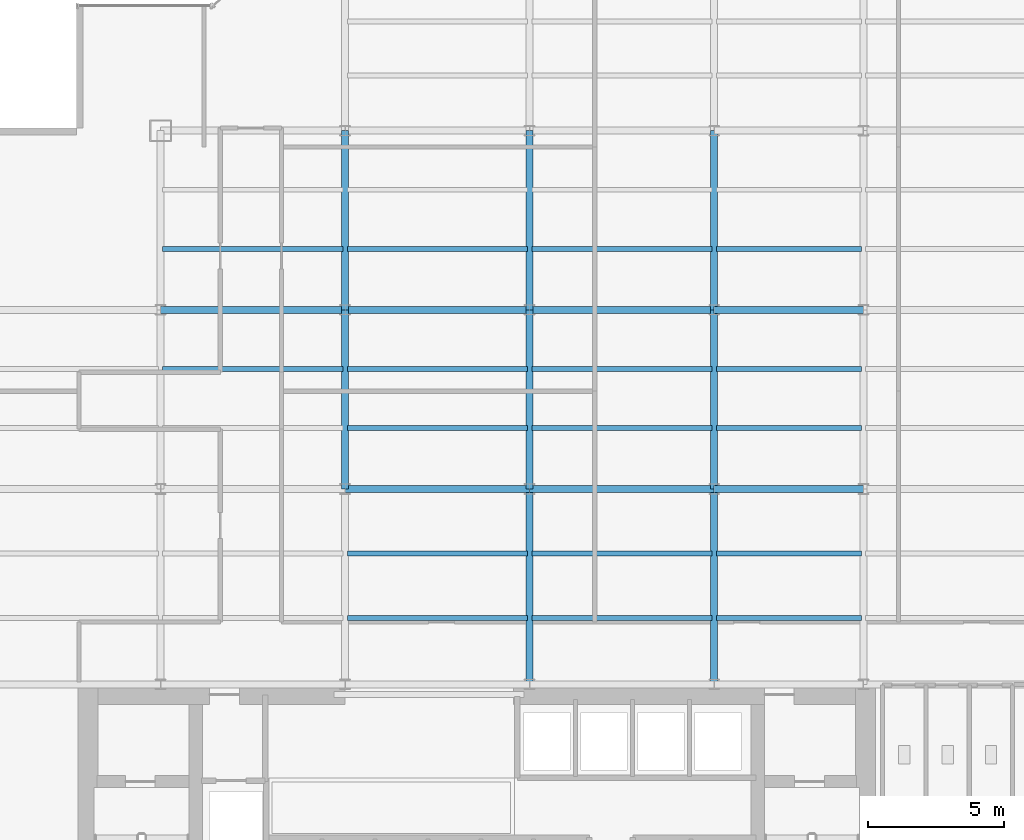
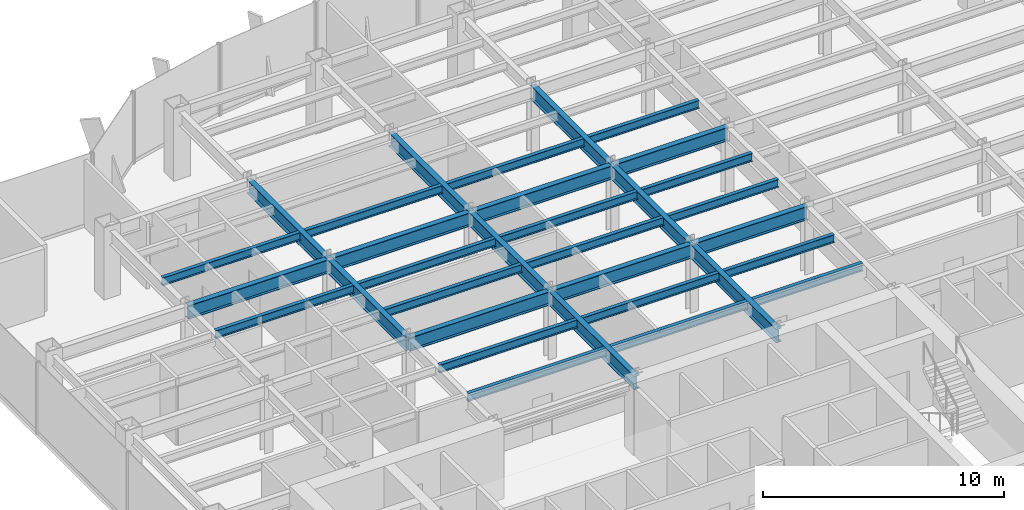
# One storey, part 7 of 25: 32 beams.
"""IFC4 building model written with IfcOpenShell, lengths in metres."""

from ifc_helpers import new_model, si_unit, derived_unit, direction, frame, origin, origin_2d, place, context, subcontext, project, spatial, i_section, extrude, source, transform, mapped, material, material_profile, profile_set, type_object, element, save


model = new_model("IFC4")

# Units and contexts
model_context = context("Model", 3, precision=1e-05, world=origin(), true_north=direction((0.0, 1.0)))
body_context = subcontext(model_context, "Body", "Model", "MODEL_VIEW")
ifc_project = project(units=[si_unit("LENGTHUNIT", "METRE"), si_unit("AREAUNIT", "SQUARE_METRE"), si_unit("VOLUMEUNIT", "CUBIC_METRE"), si_unit("PLANEANGLEUNIT", "RADIAN"), si_unit("MASSUNIT", "GRAM", prefix="KILO"), derived_unit("THERMALTRANSMITTANCEUNIT", [(si_unit("POWERUNIT", "WATT"), 1), (si_unit("LENGTHUNIT", "METRE"), -2), (si_unit("THERMODYNAMICTEMPERATUREUNIT", "KELVIN"), -1)])], contexts=[model_context])

# Site, building, storey
site_placement = place(None, origin())
site = spatial("IfcSite", under=ifc_project, at=site_placement, CompositionType="ELEMENT")
building_placement = place(site_placement, origin())
building = spatial("IfcBuilding", under=site, at=building_placement, Name="Skarnbrae Concourse Arena and Tower", CompositionType="ELEMENT")
storey_placement = place(building_placement, frame((0.0, 0.0, 88.64990234375)))
storey = spatial("IfcBuildingStorey", under=building, at=storey_placement, Name="L21", CompositionType="ELEMENT", Elevation=88.64990234375)

# Beams
ifc_material = material(Name="Steel CSA G40.21 350W", Category="steel")
ifc_material_profile_1 = material_profile(ifc_material, i_section(OverallWidth=0.256103515625, OverallDepth=0.693115234375, WebThickness=0.014404296875, FlangeThickness=0.023681640625, at=origin_2d()), Name="W690X170")
ifc_profile_set_1 = profile_set([ifc_material_profile_1], Name="Steel CSA G40.21 350W")
beam_type_1 = type_object("IfcBeamType", Name="BM-GIRD-W690X170", PredefinedType="BEAM", material=ifc_profile_set_1)
shared_shape_1 = source(origin(), body_context, "Body", "SweptSolid", [
    extrude(i_section(OverallWidth=0.256103515625, OverallDepth=0.693115234375, WebThickness=0.014404296875, FlangeThickness=0.023681640625, at=origin_2d()), origin(), (0.0, 0.0, 1.0), 6.60009765625),
])
for number, where, z_axis, x_axis, name in (
    (1, (14.39990234375, 21.199951171875, 3.0537109375), (0.0, 1.0, 0.0), (-1.0, 0.0, 0.0), "L21 Primary N-S girder X14.4-2"),
    (2, (21.199951171875, 21.199951171875, 3.0537109375), (0.0, 1.0, 0.0), (-1.0, 0.0, 0.0), "L21 Primary N-S girder X21.2-2"),
    (3, (28.0, 21.199951171875, 3.0537109375), (0.0, 1.0, 0.0), (-1.0, 0.0, 0.0), "L21 Primary N-S girder X28.0-2"),
):
    element("IfcBeam", number, at=place(storey_placement, frame(where, z_axis=z_axis, x_axis=x_axis)), inside=storey, type_object=beam_type_1, Name=name, PredefinedType="BEAM", context=body_context, shape_type="MappedRepresentation", body=[
        mapped(shared_shape_1, transform((0.0, 0.0, 0.0))),
    ])
shared_shape_2 = source(origin(), body_context, "Body", "SweptSolid", [
    extrude(i_section(OverallWidth=0.256103515625, OverallDepth=0.693115234375, WebThickness=0.014404296875, FlangeThickness=0.023681640625, at=origin_2d()), origin(), (0.0, 0.0, 1.0), 6.7998046875),
])
beam_placement = place(storey_placement, frame((7.60009765625, 27.800048828125, 3.0537109375), z_axis=(1.0, 0.0, 0.0), x_axis=(0.0, 1.0, 0.0)))
element("IfcBeam", 4, at=beam_placement, inside=storey, type_object=beam_type_1, Name="L21 Primary E-W girder Y27.8-2", PredefinedType="BEAM", context=body_context, shape_type="MappedRepresentation", body=[
    mapped(shared_shape_2, transform((0.0, 0.0, 0.0))),
])
shared_shape_3 = source(origin(), body_context, "Body", "SweptSolid", [
    extrude(i_section(OverallWidth=0.256103515625, OverallDepth=0.693115234375, WebThickness=0.014404296875, FlangeThickness=0.023681640625, at=origin_2d()), origin(), (0.0, 0.0, 1.0), 6.800048828125),
])
for number, where, z_axis, x_axis, name in (
    (5, (14.39990234375, 21.199951171875, 3.0537109375), (1.0, 0.0, 0.0), (0.0, 1.0, 0.0), "L21 Primary E-W girder Y21.2-3"),
    (6, (21.199951171875, 21.199951171875, 3.0537109375), (1.0, 0.0, 0.0), (0.0, 1.0, 0.0), "L21 Primary E-W girder Y21.2-4"),
    (7, (14.39990234375, 27.800048828125, 3.0537109375), (1.0, 0.0, 0.0), (0.0, 1.0, 0.0), "L21 Primary E-W girder Y27.8-3"),
    (8, (21.199951171875, 27.800048828125, 3.0537109375), (1.0, 0.0, 0.0), (0.0, 1.0, 0.0), "L21 Primary E-W girder Y27.8-4"),
):
    element("IfcBeam", number, at=place(storey_placement, frame(where, z_axis=z_axis, x_axis=x_axis)), inside=storey, type_object=beam_type_1, Name=name, PredefinedType="BEAM", context=body_context, shape_type="MappedRepresentation", body=[
        mapped(shared_shape_3, transform((0.0, 0.0, 0.0))),
    ])
shared_shape_4 = source(origin(), body_context, "Body", "SweptSolid", [
    extrude(i_section(OverallWidth=0.256103515625, OverallDepth=0.693115234375, WebThickness=0.014404296875, FlangeThickness=0.023681640625, at=origin_2d()), origin(), (0.0, 0.0, 1.0), 5.5),
])
for number, where, z_axis, x_axis, name in (
    (9, (28.0, 21.199951171875, 3.0537109375), (1.0, 0.0, 0.0), (0.0, 1.0, 0.0), "L21 Primary E-W girder Y21.2-5"),
    (10, (28.0, 27.800048828125, 3.0537109375), (1.0, 0.0, 0.0), (0.0, 1.0, 0.0), "L21 Primary E-W girder Y27.8-5"),
):
    element("IfcBeam", number, at=place(storey_placement, frame(where, z_axis=z_axis, x_axis=x_axis)), inside=storey, type_object=beam_type_1, Name=name, PredefinedType="BEAM", context=body_context, shape_type="MappedRepresentation", body=[
        mapped(shared_shape_4, transform((0.0, 0.0, 0.0))),
    ])
shared_shape_5 = source(origin(), body_context, "Body", "SweptSolid", [
    extrude(i_section(OverallWidth=0.256103515625, OverallDepth=0.693115234375, WebThickness=0.014404296875, FlangeThickness=0.023681640625, at=origin_2d()), origin(), (0.0, 0.0, 1.0), 7.199951171875),
])
for number, where, z_axis, x_axis, name in (
    (11, (21.199951171875, 14.0, 3.0537109375), (0.0, 1.0, 0.0), (-1.0, 0.0, 0.0), "L21 Primary N-S girder X21.2-1"),
    (12, (28.0, 14.0, 3.0537109375), (0.0, 1.0, 0.0), (-1.0, 0.0, 0.0), "L21 Primary N-S girder X28.0-1"),
):
    element("IfcBeam", number, at=place(storey_placement, frame(where, z_axis=z_axis, x_axis=x_axis)), inside=storey, type_object=beam_type_1, Name=name, PredefinedType="BEAM", context=body_context, shape_type="MappedRepresentation", body=[
        mapped(shared_shape_5, transform((0.0, 0.0, 0.0))),
    ])
shared_shape_6 = source(origin(), body_context, "Body", "SweptSolid", [
    extrude(i_section(OverallWidth=0.256103515625, OverallDepth=0.693115234375, WebThickness=0.014404296875, FlangeThickness=0.023681640625, at=origin_2d()), origin(), (0.0, 0.0, 1.0), 6.599853515625),
])
for number, where, z_axis, x_axis, name in (
    (13, (14.39990234375, 27.800048828125, 3.0537109375), (0.0, 1.0, 0.0), (-1.0, 0.0, 0.0), "L21 Primary N-S girder X14.4-3"),
    (14, (21.199951171875, 27.800048828125, 3.0537109375), (0.0, 1.0, 0.0), (-1.0, 0.0, 0.0), "L21 Primary N-S girder X21.2-3"),
    (15, (28.0, 27.800048828125, 3.0537109375), (0.0, 1.0, 0.0), (-1.0, 0.0, 0.0), "L21 Primary N-S girder X28.0-3"),
):
    element("IfcBeam", number, at=place(storey_placement, frame(where, z_axis=z_axis, x_axis=x_axis)), inside=storey, type_object=beam_type_1, Name=name, PredefinedType="BEAM", context=body_context, shape_type="MappedRepresentation", body=[
        mapped(shared_shape_6, transform((0.0, 0.0, 0.0))),
    ])
ifc_material_profile_2 = material_profile(ifc_material, i_section(OverallWidth=0.177978515625, OverallDepth=0.406982421875, WebThickness=0.0078125, FlangeThickness=0.0126953125, at=origin_2d()), Name="W410X60")
ifc_profile_set_2 = profile_set([ifc_material_profile_2], Name="Steel CSA G40.21 350W")
beam_type_2 = type_object("IfcBeamType", Name="BM-JOIST-W410X60", PredefinedType="JOIST", material=ifc_profile_set_2)
shared_shape_7 = source(origin(), body_context, "Body", "SweptSolid", [
    extrude(i_section(OverallWidth=0.177978515625, OverallDepth=0.406982421875, WebThickness=0.0078125, FlangeThickness=0.0126953125, at=origin_2d()), origin(), (0.0, 0.0, 1.0), 6.64013671875),
])
for number, where, z_axis, x_axis, name in (
    (16, (14.47998046875, 16.447998046875, 3.196533203125), (1.0, 0.0, 0.0), (0.0, 1.0, 0.0), "L21 Secondary floor joist 1.1.3"),
    (17, (14.47998046875, 18.823974609375, 3.196533203125), (1.0, 0.0, 0.0), (0.0, 1.0, 0.0), "L21 Secondary floor joist 1.2.3"),
    (18, (14.47998046875, 23.444091796875, 3.196533203125), (1.0, 0.0, 0.0), (0.0, 1.0, 0.0), "L21 Secondary floor joist 2.1.3"),
    (19, (7.679931640625, 25.6220703125, 3.196533203125), (1.0, 0.0, 0.0), (0.0, 1.0, 0.0), "L21 Secondary floor joist 2.2.2"),
    (20, (14.47998046875, 25.6220703125, 3.196533203125), (1.0, 0.0, 0.0), (0.0, 1.0, 0.0), "L21 Secondary floor joist 2.2.3"),
    (21, (7.679931640625, 30.0439453125, 3.196533203125), (1.0, 0.0, 0.0), (0.0, 1.0, 0.0), "L21 Secondary floor joist 3.1.1"),
    (22, (14.47998046875, 30.0439453125, 3.196533203125), (1.0, 0.0, 0.0), (0.0, 1.0, 0.0), "L21 Secondary floor joist 3.1.2"),
):
    element("IfcBeam", number, at=place(storey_placement, frame(where, z_axis=z_axis, x_axis=x_axis)), inside=storey, type_object=beam_type_2, Name=name, PredefinedType="JOIST", context=body_context, shape_type="MappedRepresentation", body=[
        mapped(shared_shape_7, transform((0.0, 0.0, 0.0))),
    ])
shared_shape_8 = source(origin(), body_context, "Body", "SweptSolid", [
    extrude(i_section(OverallWidth=0.177978515625, OverallDepth=0.406982421875, WebThickness=0.0078125, FlangeThickness=0.0126953125, at=origin_2d()), origin(), (0.0, 0.0, 1.0), 6.639892578125),
])
for number, where, z_axis, x_axis, name in (
    (23, (21.280029296875, 16.447998046875, 3.196533203125), (1.0, 0.0, 0.0), (0.0, 1.0, 0.0), "L21 Secondary floor joist 1.1.4"),
    (24, (21.280029296875, 18.823974609375, 3.196533203125), (1.0, 0.0, 0.0), (0.0, 1.0, 0.0), "L21 Secondary floor joist 1.2.4"),
    (25, (21.280029296875, 23.444091796875, 3.196533203125), (1.0, 0.0, 0.0), (0.0, 1.0, 0.0), "L21 Secondary floor joist 2.1.4"),
    (26, (21.280029296875, 25.6220703125, 3.196533203125), (1.0, 0.0, 0.0), (0.0, 1.0, 0.0), "L21 Secondary floor joist 2.2.4"),
    (27, (21.280029296875, 30.0439453125, 3.196533203125), (1.0, 0.0, 0.0), (0.0, 1.0, 0.0), "L21 Secondary floor joist 3.1.3"),
):
    element("IfcBeam", number, at=place(storey_placement, frame(where, z_axis=z_axis, x_axis=x_axis)), inside=storey, type_object=beam_type_2, Name=name, PredefinedType="JOIST", context=body_context, shape_type="MappedRepresentation", body=[
        mapped(shared_shape_8, transform((0.0, 0.0, 0.0))),
    ])
shared_shape_9 = source(origin(), body_context, "Body", "SweptSolid", [
    extrude(i_section(OverallWidth=0.177978515625, OverallDepth=0.406982421875, WebThickness=0.0078125, FlangeThickness=0.0126953125, at=origin_2d()), origin(), (0.0, 0.0, 1.0), 5.33984375),
])
for number, where, z_axis, x_axis, name in (
    (28, (28.080078125, 16.447998046875, 3.196533203125), (1.0, 0.0, 0.0), (0.0, 1.0, 0.0), "L21 Secondary floor joist 1.1.5"),
    (29, (28.080078125, 18.823974609375, 3.196533203125), (1.0, 0.0, 0.0), (0.0, 1.0, 0.0), "L21 Secondary floor joist 1.2.5"),
    (30, (28.080078125, 23.444091796875, 3.196533203125), (1.0, 0.0, 0.0), (0.0, 1.0, 0.0), "L21 Secondary floor joist 2.1.5"),
    (31, (28.080078125, 25.6220703125, 3.196533203125), (1.0, 0.0, 0.0), (0.0, 1.0, 0.0), "L21 Secondary floor joist 2.2.5"),
    (32, (28.080078125, 30.0439453125, 3.196533203125), (1.0, 0.0, 0.0), (0.0, 1.0, 0.0), "L21 Secondary floor joist 3.1.4"),
):
    element("IfcBeam", number, at=place(storey_placement, frame(where, z_axis=z_axis, x_axis=x_axis)), inside=storey, type_object=beam_type_2, Name=name, PredefinedType="JOIST", context=body_context, shape_type="MappedRepresentation", body=[
        mapped(shared_shape_9, transform((0.0, 0.0, 0.0))),
    ])

save(model, "model.ifc")
